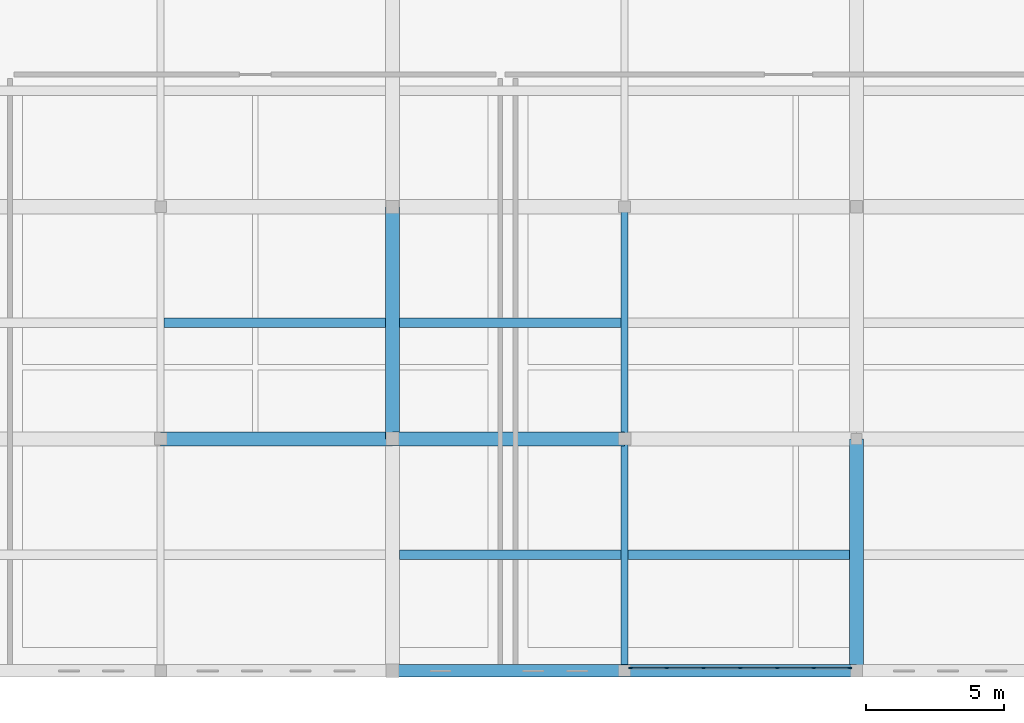
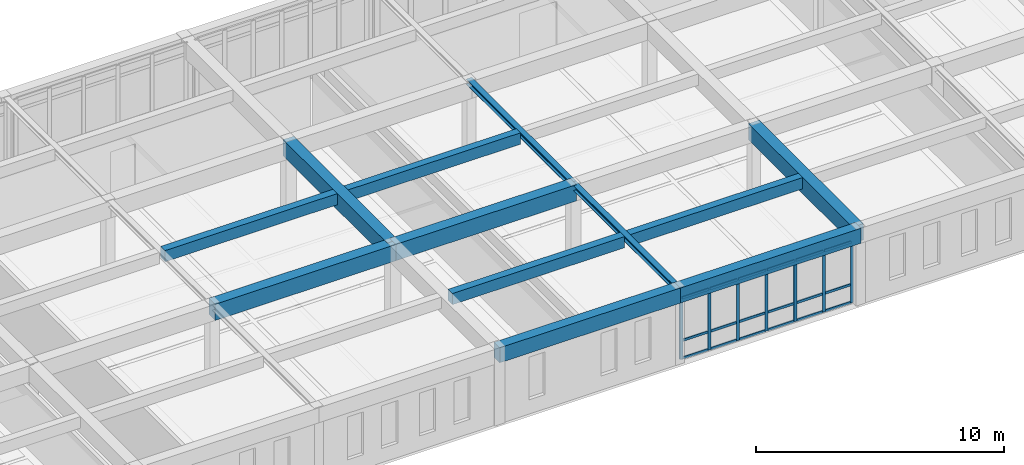
# One storey, part 16 of 110: 25 members, 12 beams, 1 element without a shape of its own.
"""IFC4 building model written with IfcOpenShell, lengths in metres."""

from ifc_helpers import new_model, si_unit, direction, frame, origin, origin_2d, place, context, subcontext, project, spatial, rectangle, i_section, extrude, material, layer, layer_set, material_profile, profile_set, type_object, element, aggregate, save


model = new_model("IFC4")

# Units and contexts
model_context = context("Model", 3, precision=1e-05, world=origin(), true_north=direction((0.0, 1.0)))
body_context = subcontext(model_context, "Body", "Model", "MODEL_VIEW")
ifc_project = project(units=[si_unit("LENGTHUNIT", "METRE"), si_unit("AREAUNIT", "SQUARE_METRE"), si_unit("VOLUMEUNIT", "CUBIC_METRE"), si_unit("PLANEANGLEUNIT", "RADIAN"), si_unit("MASSUNIT", "GRAM", prefix="KILO")], contexts=[model_context])

# Site, building, storey
site_placement = place(None, origin())
site = spatial("IfcSite", under=ifc_project, at=site_placement, CompositionType="ELEMENT")
building_placement = place(site_placement, origin())
building = spatial("IfcBuilding", under=site, at=building_placement, Name="Kveldsbrygga Polytechnic", CompositionType="ELEMENT")
storey_placement = place(building_placement, frame((0.0, 0.0, 9.860107421875)))
storey = spatial("IfcBuildingStorey", under=building, at=storey_placement, Name="L02", CompositionType="ELEMENT", Elevation=9.860107421875)

# Beams
ifc_material_1 = material(Name="Concrete C35/45", Category="concrete")
ifc_material_profile_1 = material_profile(ifc_material_1, rectangle(XDim=0.4599609375, YDim=0.739990234375, at=origin_2d()), Name="RC 460x740")
ifc_profile_set_1 = profile_set([ifc_material_profile_1], Name="Concrete C35/45")
beam_type_1 = type_object("IfcBeamType", Name="BM-RC-460x740", PredefinedType="BEAM", material=ifc_profile_set_1)
beam_1_placement = place(storey_placement, frame((100.800048828125, 0.0, 3.389892578125), z_axis=(1.0, 0.0, 0.0), x_axis=(0.0, 1.0, 0.0)))
element("IfcBeam", 1, at=beam_1_placement, inside=storey, type_object=beam_type_1, Name="Primary Beam BMX-L02-12to13-00", PredefinedType="BEAM", context=body_context, shape_type="SweptSolid", body=[
    extrude(rectangle(XDim=0.4599609375, YDim=0.739990234375, at=origin_2d()), origin(), (0.0, 0.0, 1.0), 8.39990234375),
])
beam_2_placement = place(storey_placement, frame((109.199951171875, 0.0, 3.389892578125), z_axis=(1.0, 0.0, 0.0), x_axis=(0.0, 1.0, 0.0)))
element("IfcBeam", 2, at=beam_2_placement, inside=storey, type_object=beam_type_1, Name="Primary Beam BMX-L02-13to14-00", PredefinedType="BEAM", context=body_context, shape_type="SweptSolid", body=[
    extrude(rectangle(XDim=0.4599609375, YDim=0.739990234375, at=origin_2d()), origin(), (0.0, 0.0, 1.0), 8.400146484375),
])
ifc_material_profile_2 = material_profile(ifc_material_1, rectangle(XDim=0.5, YDim=0.800048828125, at=origin_2d()), Name="RC 500x800")
ifc_profile_set_2 = profile_set([ifc_material_profile_2], Name="Concrete C35/45")
beam_type_2 = type_object("IfcBeamType", Name="BM-RC-500x800", PredefinedType="BEAM", material=ifc_profile_set_2)
beam_3_placement = place(storey_placement, frame((92.39990234375, 8.39990234375, 3.35986328125), z_axis=(1.0, 0.0, 0.0), x_axis=(0.0, 1.0, 0.0)))
element("IfcBeam", 3, at=beam_3_placement, inside=storey, type_object=beam_type_2, Name="Primary Beam BMX-L02-11to12-01", PredefinedType="BEAM", context=body_context, shape_type="SweptSolid", body=[
    extrude(rectangle(XDim=0.5, YDim=0.800048828125, at=origin_2d()), origin(), (0.0, 0.0, 1.0), 8.400146484375),
])
beam_4_placement = place(storey_placement, frame((100.800048828125, 8.39990234375, 3.35986328125), z_axis=(1.0, 0.0, 0.0), x_axis=(0.0, 1.0, 0.0)))
element("IfcBeam", 4, at=beam_4_placement, inside=storey, type_object=beam_type_2, Name="Primary Beam BMX-L02-12to13-01", PredefinedType="BEAM", context=body_context, shape_type="SweptSolid", body=[
    extrude(rectangle(XDim=0.5, YDim=0.800048828125, at=origin_2d()), origin(), (0.0, 0.0, 1.0), 8.39990234375),
])
beam_5_placement = place(storey_placement, frame((100.800048828125, 8.39990234375, 3.35986328125), z_axis=(0.0, 1.0, 0.0), x_axis=(-1.0, 0.0, 0.0)))
element("IfcBeam", 5, at=beam_5_placement, inside=storey, type_object=beam_type_2, Name="Primary Beam BMY-L02-12-01to02", PredefinedType="BEAM", context=body_context, shape_type="SweptSolid", body=[
    extrude(rectangle(XDim=0.5, YDim=0.800048828125, at=origin_2d()), origin(), (0.0, 0.0, 1.0), 8.400146484375),
])
beam_6_placement = place(storey_placement, frame((117.60009765625, 0.0, 3.35986328125), z_axis=(0.0, 1.0, 0.0), x_axis=(-1.0, 0.0, 0.0)))
element("IfcBeam", 6, at=beam_6_placement, inside=storey, type_object=beam_type_2, Name="Primary Beam BMY-L02-14-00to01", PredefinedType="BEAM", context=body_context, shape_type="SweptSolid", body=[
    extrude(rectangle(XDim=0.5, YDim=0.800048828125, at=origin_2d()), origin(), (0.0, 0.0, 1.0), 8.39990234375),
])
ifc_material_2 = material(Name="Steel S355", Category="steel")
ifc_material_profile_3 = material_profile(ifc_material_2, i_section(OverallWidth=0.260009765625, OverallDepth=0.260009765625, WebThickness=0.010009765625, FlangeThickness=0.017578125, FilletRadius=0.02392578125, at=origin_2d()), Name="HEB 260")
ifc_profile_set_3 = profile_set([ifc_material_profile_3], Name="Steel S355")
beam_type_3 = type_object("IfcBeamType", Name="BM-STL-HEB260", PredefinedType="BEAM", material=ifc_profile_set_3)
beam_7_placement = place(storey_placement, frame((109.199951171875, 0.0, 3.6298828125), z_axis=(0.0, 1.0, 0.0), x_axis=(-1.0, 0.0, 0.0)))
element("IfcBeam", 7, at=beam_7_placement, inside=storey, type_object=beam_type_3, Name="Primary Beam BMY-L02-13-00to01", PredefinedType="BEAM", context=body_context, shape_type="SweptSolid", body=[
    extrude(i_section(OverallWidth=0.260009765625, OverallDepth=0.260009765625, WebThickness=0.010009765625, FlangeThickness=0.017578125, FilletRadius=0.02392578125, at=origin_2d()), origin(), (0.0, 0.0, 1.0), 8.39990234375),
])
beam_8_placement = place(storey_placement, frame((109.199951171875, 8.39990234375, 3.6298828125), z_axis=(0.0, 1.0, 0.0), x_axis=(-1.0, 0.0, 0.0)))
element("IfcBeam", 8, at=beam_8_placement, inside=storey, type_object=beam_type_3, Name="Primary Beam BMY-L02-13-01to02", PredefinedType="BEAM", context=body_context, shape_type="SweptSolid", body=[
    extrude(i_section(OverallWidth=0.260009765625, OverallDepth=0.260009765625, WebThickness=0.010009765625, FlangeThickness=0.017578125, FilletRadius=0.02392578125, at=origin_2d()), origin(), (0.0, 0.0, 1.0), 8.400146484375),
])

# Curtain wall, members
ifc_material_3 = material(Name="Anodised aluminium AW-6060", Category="aluminium")
ifc_layer = layer(ifc_material_3, 0.179931640625)
ifc_layer_set = layer_set([ifc_layer], Name="Anodised aluminium AW-6060")
curtain_wall_type = type_object("IfcCurtainWallType", Name="CW-CONC-A", PredefinedType="USERDEFINED", material=ifc_layer_set)
curtain_wall_placement = place(storey_placement, origin())
curtain_wall = element("IfcCurtainWall", 9, at=curtain_wall_placement, inside=storey, type_object=curtain_wall_type, Name="Curtain Wall CW-L02-X-13-00", ObjectType="UNITISED CURTAIN WALL", PredefinedType="USERDEFINED")
ifc_material_profile_4 = material_profile(ifc_material_3, rectangle(XDim=0.06005859375, YDim=0.139892578125, at=origin_2d()), Name="ALU 60x140")
ifc_profile_set_4 = profile_set([ifc_material_profile_4], Name="Anodised aluminium AW-6060")
member_type_1 = type_object("IfcMemberType", Name="CW-MUL-140", PredefinedType="MULLION", material=ifc_profile_set_4)
member_1_placement = place(storey_placement, frame((109.425048828125, 0.10009765625, 0.0), z_axis=(0.0, 0.0, 1.0), x_axis=(0.0, 1.0, 0.0)))
member_1 = element("IfcMember", 10, at=member_1_placement, type_object=member_type_1, Name="CW-01 mullion 1", PredefinedType="MULLION", context=body_context, shape_type="SweptSolid", body=[
    extrude(rectangle(XDim=0.06005859375, YDim=0.139892578125, at=origin_2d()), origin(), (0.0, 0.0, 1.0), 3.019775390625),
])
member_2_placement = place(storey_placement, frame((110.7275390625, 0.10009765625, 0.0), z_axis=(0.0, 0.0, 1.0), x_axis=(0.0, 1.0, 0.0)))
member_2 = element("IfcMember", 11, at=member_2_placement, type_object=member_type_1, Name="CW-01 mullion 2", PredefinedType="MULLION", context=body_context, shape_type="SweptSolid", body=[
    extrude(rectangle(XDim=0.06005859375, YDim=0.139892578125, at=origin_2d()), origin(), (0.0, 0.0, 1.0), 3.019775390625),
])
member_3_placement = place(storey_placement, frame((112.06005859375, 0.10009765625, 0.0), z_axis=(0.0, 0.0, 1.0), x_axis=(0.0, 1.0, 0.0)))
member_3 = element("IfcMember", 12, at=member_3_placement, type_object=member_type_1, Name="CW-01 mullion 3", PredefinedType="MULLION", context=body_context, shape_type="SweptSolid", body=[
    extrude(rectangle(XDim=0.06005859375, YDim=0.139892578125, at=origin_2d()), origin(), (0.0, 0.0, 1.0), 3.019775390625),
])
member_4_placement = place(storey_placement, frame((113.392578125, 0.10009765625, 0.0), z_axis=(0.0, 0.0, 1.0), x_axis=(0.0, 1.0, 0.0)))
member_4 = element("IfcMember", 13, at=member_4_placement, type_object=member_type_1, Name="CW-01 mullion 4", PredefinedType="MULLION", context=body_context, shape_type="SweptSolid", body=[
    extrude(rectangle(XDim=0.06005859375, YDim=0.139892578125, at=origin_2d()), origin(), (0.0, 0.0, 1.0), 3.019775390625),
])
member_5_placement = place(storey_placement, frame((114.72509765625, 0.10009765625, 0.0), z_axis=(0.0, 0.0, 1.0), x_axis=(0.0, 1.0, 0.0)))
member_5 = element("IfcMember", 14, at=member_5_placement, type_object=member_type_1, Name="CW-01 mullion 5", PredefinedType="MULLION", context=body_context, shape_type="SweptSolid", body=[
    extrude(rectangle(XDim=0.06005859375, YDim=0.139892578125, at=origin_2d()), origin(), (0.0, 0.0, 1.0), 3.019775390625),
])
member_6_placement = place(storey_placement, frame((116.0576171875, 0.10009765625, 0.0), z_axis=(0.0, 0.0, 1.0), x_axis=(0.0, 1.0, 0.0)))
member_6 = element("IfcMember", 15, at=member_6_placement, type_object=member_type_1, Name="CW-01 mullion 6", PredefinedType="MULLION", context=body_context, shape_type="SweptSolid", body=[
    extrude(rectangle(XDim=0.06005859375, YDim=0.139892578125, at=origin_2d()), origin(), (0.0, 0.0, 1.0), 3.019775390625),
])
member_7_placement = place(storey_placement, frame((117.360107421875, 0.10009765625, 0.0), z_axis=(0.0, 0.0, 1.0), x_axis=(0.0, 1.0, 0.0)))
member_7 = element("IfcMember", 16, at=member_7_placement, type_object=member_type_1, Name="CW-01 mullion 7", PredefinedType="MULLION", context=body_context, shape_type="SweptSolid", body=[
    extrude(rectangle(XDim=0.06005859375, YDim=0.139892578125, at=origin_2d()), origin(), (0.0, 0.0, 1.0), 3.019775390625),
])
ifc_material_profile_5 = material_profile(ifc_material_3, rectangle(XDim=0.06005859375, YDim=0.1201171875, at=origin_2d()), Name="ALU 60x120")
ifc_profile_set_5 = profile_set([ifc_material_profile_5], Name="Anodised aluminium AW-6060")
member_type_2 = type_object("IfcMemberType", Name="CW-TRN-120", PredefinedType="USERDEFINED", material=ifc_profile_set_5)
member_8_placement = place(storey_placement, frame((109.455078125, 0.10009765625, 0.02978515625), z_axis=(1.0, 0.0, 0.0), x_axis=(0.0, 1.0, 0.0)))
member_8 = element("IfcMember", 17, at=member_8_placement, type_object=member_type_2, Name="CW-01 transom 1.1", ObjectType="TRANSOM", PredefinedType="USERDEFINED", context=body_context, shape_type="SweptSolid", body=[
    extrude(rectangle(XDim=0.06005859375, YDim=0.1201171875, at=origin_2d()), origin(), (0.0, 0.0, 1.0), 1.242431640625),
])
member_9_placement = place(storey_placement, frame((109.455078125, 0.10009765625, 0.89990234375), z_axis=(1.0, 0.0, 0.0), x_axis=(0.0, 1.0, 0.0)))
member_9 = element("IfcMember", 18, at=member_9_placement, type_object=member_type_2, Name="CW-01 transom 1.2", ObjectType="TRANSOM", PredefinedType="USERDEFINED", context=body_context, shape_type="SweptSolid", body=[
    extrude(rectangle(XDim=0.06005859375, YDim=0.1201171875, at=origin_2d()), origin(), (0.0, 0.0, 1.0), 1.242431640625),
])
member_10_placement = place(storey_placement, frame((109.455078125, 0.10009765625, 2.989990234375), z_axis=(1.0, 0.0, 0.0), x_axis=(0.0, 1.0, 0.0)))
member_10 = element("IfcMember", 19, at=member_10_placement, type_object=member_type_2, Name="CW-01 transom 1.3", ObjectType="TRANSOM", PredefinedType="USERDEFINED", context=body_context, shape_type="SweptSolid", body=[
    extrude(rectangle(XDim=0.06005859375, YDim=0.1201171875, at=origin_2d()), origin(), (0.0, 0.0, 1.0), 1.242431640625),
])
member_11_placement = place(storey_placement, frame((110.757568359375, 0.10009765625, 0.02978515625), z_axis=(1.0, 0.0, 0.0), x_axis=(0.0, 1.0, 0.0)))
member_11 = element("IfcMember", 20, at=member_11_placement, type_object=member_type_2, Name="CW-01 transom 2.1", ObjectType="TRANSOM", PredefinedType="USERDEFINED", context=body_context, shape_type="SweptSolid", body=[
    extrude(rectangle(XDim=0.06005859375, YDim=0.1201171875, at=origin_2d()), origin(), (0.0, 0.0, 1.0), 1.2724609375),
])
member_12_placement = place(storey_placement, frame((110.757568359375, 0.10009765625, 0.89990234375), z_axis=(1.0, 0.0, 0.0), x_axis=(0.0, 1.0, 0.0)))
member_12 = element("IfcMember", 21, at=member_12_placement, type_object=member_type_2, Name="CW-01 transom 2.2", ObjectType="TRANSOM", PredefinedType="USERDEFINED", context=body_context, shape_type="SweptSolid", body=[
    extrude(rectangle(XDim=0.06005859375, YDim=0.1201171875, at=origin_2d()), origin(), (0.0, 0.0, 1.0), 1.2724609375),
])
member_13_placement = place(storey_placement, frame((110.757568359375, 0.10009765625, 2.989990234375), z_axis=(1.0, 0.0, 0.0), x_axis=(0.0, 1.0, 0.0)))
member_13 = element("IfcMember", 22, at=member_13_placement, type_object=member_type_2, Name="CW-01 transom 2.3", ObjectType="TRANSOM", PredefinedType="USERDEFINED", context=body_context, shape_type="SweptSolid", body=[
    extrude(rectangle(XDim=0.06005859375, YDim=0.1201171875, at=origin_2d()), origin(), (0.0, 0.0, 1.0), 1.2724609375),
])
member_14_placement = place(storey_placement, frame((112.090087890625, 0.10009765625, 0.02978515625), z_axis=(1.0, 0.0, 0.0), x_axis=(0.0, 1.0, 0.0)))
member_14 = element("IfcMember", 23, at=member_14_placement, type_object=member_type_2, Name="CW-01 transom 3.1", ObjectType="TRANSOM", PredefinedType="USERDEFINED", context=body_context, shape_type="SweptSolid", body=[
    extrude(rectangle(XDim=0.06005859375, YDim=0.1201171875, at=origin_2d()), origin(), (0.0, 0.0, 1.0), 1.2724609375),
])
member_15_placement = place(storey_placement, frame((112.090087890625, 0.10009765625, 0.89990234375), z_axis=(1.0, 0.0, 0.0), x_axis=(0.0, 1.0, 0.0)))
member_15 = element("IfcMember", 24, at=member_15_placement, type_object=member_type_2, Name="CW-01 transom 3.2", ObjectType="TRANSOM", PredefinedType="USERDEFINED", context=body_context, shape_type="SweptSolid", body=[
    extrude(rectangle(XDim=0.06005859375, YDim=0.1201171875, at=origin_2d()), origin(), (0.0, 0.0, 1.0), 1.2724609375),
])
member_16_placement = place(storey_placement, frame((112.090087890625, 0.10009765625, 2.989990234375), z_axis=(1.0, 0.0, 0.0), x_axis=(0.0, 1.0, 0.0)))
member_16 = element("IfcMember", 25, at=member_16_placement, type_object=member_type_2, Name="CW-01 transom 3.3", ObjectType="TRANSOM", PredefinedType="USERDEFINED", context=body_context, shape_type="SweptSolid", body=[
    extrude(rectangle(XDim=0.06005859375, YDim=0.1201171875, at=origin_2d()), origin(), (0.0, 0.0, 1.0), 1.2724609375),
])
member_17_placement = place(storey_placement, frame((113.422607421875, 0.10009765625, 0.02978515625), z_axis=(1.0, 0.0, 0.0), x_axis=(0.0, 1.0, 0.0)))
member_17 = element("IfcMember", 26, at=member_17_placement, type_object=member_type_2, Name="CW-01 transom 4.1", ObjectType="TRANSOM", PredefinedType="USERDEFINED", context=body_context, shape_type="SweptSolid", body=[
    extrude(rectangle(XDim=0.06005859375, YDim=0.1201171875, at=origin_2d()), origin(), (0.0, 0.0, 1.0), 1.2724609375),
])
member_18_placement = place(storey_placement, frame((113.422607421875, 0.10009765625, 0.89990234375), z_axis=(1.0, 0.0, 0.0), x_axis=(0.0, 1.0, 0.0)))
member_18 = element("IfcMember", 27, at=member_18_placement, type_object=member_type_2, Name="CW-01 transom 4.2", ObjectType="TRANSOM", PredefinedType="USERDEFINED", context=body_context, shape_type="SweptSolid", body=[
    extrude(rectangle(XDim=0.06005859375, YDim=0.1201171875, at=origin_2d()), origin(), (0.0, 0.0, 1.0), 1.2724609375),
])
member_19_placement = place(storey_placement, frame((113.422607421875, 0.10009765625, 2.989990234375), z_axis=(1.0, 0.0, 0.0), x_axis=(0.0, 1.0, 0.0)))
member_19 = element("IfcMember", 28, at=member_19_placement, type_object=member_type_2, Name="CW-01 transom 4.3", ObjectType="TRANSOM", PredefinedType="USERDEFINED", context=body_context, shape_type="SweptSolid", body=[
    extrude(rectangle(XDim=0.06005859375, YDim=0.1201171875, at=origin_2d()), origin(), (0.0, 0.0, 1.0), 1.2724609375),
])
member_20_placement = place(storey_placement, frame((114.7548828125, 0.10009765625, 0.02978515625), z_axis=(1.0, 0.0, 0.0), x_axis=(0.0, 1.0, 0.0)))
member_20 = element("IfcMember", 29, at=member_20_placement, type_object=member_type_2, Name="CW-01 transom 5.1", ObjectType="TRANSOM", PredefinedType="USERDEFINED", context=body_context, shape_type="SweptSolid", body=[
    extrude(rectangle(XDim=0.06005859375, YDim=0.1201171875, at=origin_2d()), origin(), (0.0, 0.0, 1.0), 1.272705078125),
])
member_21_placement = place(storey_placement, frame((114.7548828125, 0.10009765625, 0.89990234375), z_axis=(1.0, 0.0, 0.0), x_axis=(0.0, 1.0, 0.0)))
member_21 = element("IfcMember", 30, at=member_21_placement, type_object=member_type_2, Name="CW-01 transom 5.2", ObjectType="TRANSOM", PredefinedType="USERDEFINED", context=body_context, shape_type="SweptSolid", body=[
    extrude(rectangle(XDim=0.06005859375, YDim=0.1201171875, at=origin_2d()), origin(), (0.0, 0.0, 1.0), 1.272705078125),
])
member_22_placement = place(storey_placement, frame((114.7548828125, 0.10009765625, 2.989990234375), z_axis=(1.0, 0.0, 0.0), x_axis=(0.0, 1.0, 0.0)))
member_22 = element("IfcMember", 31, at=member_22_placement, type_object=member_type_2, Name="CW-01 transom 5.3", ObjectType="TRANSOM", PredefinedType="USERDEFINED", context=body_context, shape_type="SweptSolid", body=[
    extrude(rectangle(XDim=0.06005859375, YDim=0.1201171875, at=origin_2d()), origin(), (0.0, 0.0, 1.0), 1.272705078125),
])
member_23_placement = place(storey_placement, frame((116.08740234375, 0.10009765625, 0.02978515625), z_axis=(1.0, 0.0, 0.0), x_axis=(0.0, 1.0, 0.0)))
member_23 = element("IfcMember", 32, at=member_23_placement, type_object=member_type_2, Name="CW-01 transom 6.1", ObjectType="TRANSOM", PredefinedType="USERDEFINED", context=body_context, shape_type="SweptSolid", body=[
    extrude(rectangle(XDim=0.06005859375, YDim=0.1201171875, at=origin_2d()), origin(), (0.0, 0.0, 1.0), 1.24267578125),
])
member_24_placement = place(storey_placement, frame((116.08740234375, 0.10009765625, 0.89990234375), z_axis=(1.0, 0.0, 0.0), x_axis=(0.0, 1.0, 0.0)))
member_24 = element("IfcMember", 33, at=member_24_placement, type_object=member_type_2, Name="CW-01 transom 6.2", ObjectType="TRANSOM", PredefinedType="USERDEFINED", context=body_context, shape_type="SweptSolid", body=[
    extrude(rectangle(XDim=0.06005859375, YDim=0.1201171875, at=origin_2d()), origin(), (0.0, 0.0, 1.0), 1.24267578125),
])
member_25_placement = place(storey_placement, frame((116.08740234375, 0.10009765625, 2.989990234375), z_axis=(1.0, 0.0, 0.0), x_axis=(0.0, 1.0, 0.0)))
member_25 = element("IfcMember", 34, at=member_25_placement, type_object=member_type_2, Name="CW-01 transom 6.3", ObjectType="TRANSOM", PredefinedType="USERDEFINED", context=body_context, shape_type="SweptSolid", body=[
    extrude(rectangle(XDim=0.06005859375, YDim=0.1201171875, at=origin_2d()), origin(), (0.0, 0.0, 1.0), 1.24267578125),
])
aggregate(curtain_wall, [member_1, member_2, member_3, member_4, member_5, member_6, member_7, member_8, member_9, member_10, member_11, member_12, member_13, member_14, member_15, member_16, member_17, member_18, member_19, member_20, member_21, member_22, member_23, member_24, member_25])

# Beams
ifc_material_profile_6 = material_profile(ifc_material_1, rectangle(XDim=0.340087890625, YDim=0.56005859375, at=origin_2d()), Name="RC 340x560")
ifc_profile_set_6 = profile_set([ifc_material_profile_6], Name="Concrete C35/45")
beam_type_4 = type_object("IfcBeamType", Name="JST-RC-340x560", PredefinedType="JOIST", material=ifc_profile_set_6)
for number, where, z_axis, x_axis, name in (
    (35, (101.050048828125, 12.60009765625, 3.47998046875), (1.0, 0.0, 0.0), (0.0, 1.0, 0.0), "Secondary Joist JST-L02-12-01"),
    (36, (109.330078125, 4.199951171875, 3.47998046875), (1.0, 0.0, 0.0), (0.0, 1.0, 0.0), "Secondary Joist JST-L02-13-00"),
):
    element("IfcBeam", number, at=place(storey_placement, frame(where, z_axis=z_axis, x_axis=x_axis)), inside=storey, type_object=beam_type_4, Name=name, PredefinedType="JOIST", context=body_context, shape_type="SweptSolid", body=[
        extrude(rectangle(XDim=0.340087890625, YDim=0.56005859375, at=origin_2d()), origin(), (0.0, 0.0, 1.0), 8.02001953125),
    ])
ifc_material_profile_7 = material_profile(ifc_material_1, rectangle(XDim=0.35009765625, YDim=0.550048828125, at=origin_2d()), Name="RC 350x550")
ifc_profile_set_7 = profile_set([ifc_material_profile_7], Name="Concrete C35/45")
beam_type_5 = type_object("IfcBeamType", Name="JST-RC-350x550", PredefinedType="JOIST", material=ifc_profile_set_7)
for number, where, z_axis, x_axis, name in (
    (37, (92.530029296875, 12.60009765625, 3.48486328125), (1.0, 0.0, 0.0), (0.0, 1.0, 0.0), "Secondary Joist JST-L02-11-01"),
    (38, (101.050048828125, 4.199951171875, 3.48486328125), (1.0, 0.0, 0.0), (0.0, 1.0, 0.0), "Secondary Joist JST-L02-12-00"),
):
    element("IfcBeam", number, at=place(storey_placement, frame(where, z_axis=z_axis, x_axis=x_axis)), inside=storey, type_object=beam_type_5, Name=name, PredefinedType="JOIST", context=body_context, shape_type="SweptSolid", body=[
        extrude(rectangle(XDim=0.35009765625, YDim=0.550048828125, at=origin_2d()), origin(), (0.0, 0.0, 1.0), 8.02001953125),
    ])

save(model, "model.ifc")
